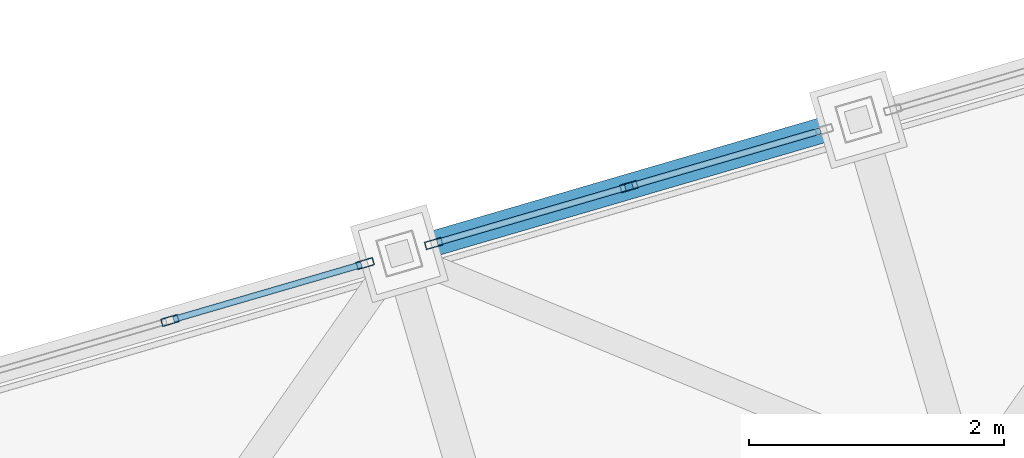
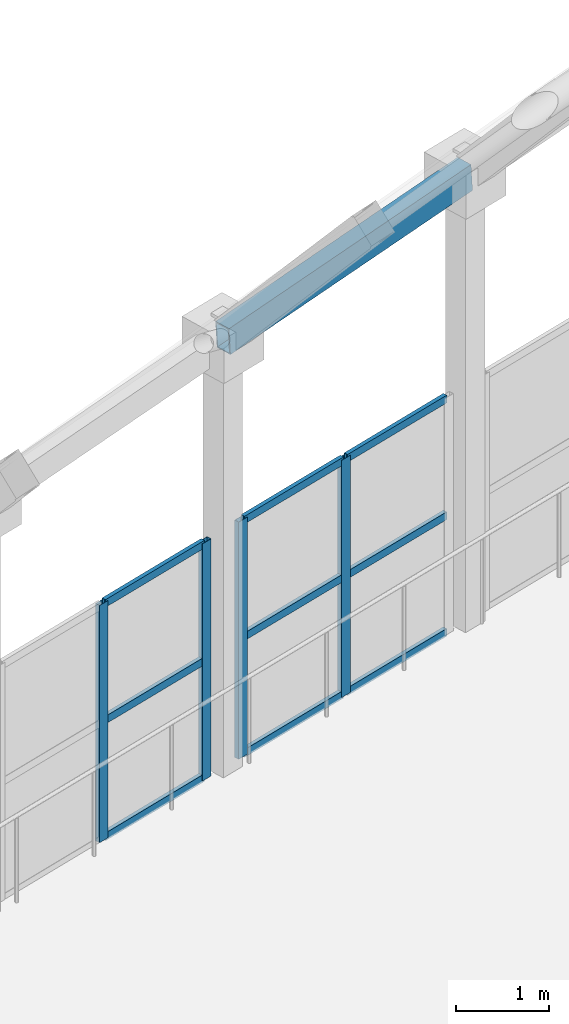
# One storey, part 115 of 248: 13 members, 1 beam, 2 elements without a shape of their own.
"""IFC4 building model written with IfcOpenShell, lengths in metres."""

from ifc_helpers import new_model, si_unit, direction, frame, origin, origin_2d, place, context, subcontext, project, spatial, hollow_rectangle, extrude, material, layer, layer_set, material_profile, profile_set, type_object, element, aggregate, save


model = new_model("IFC4")

# Units and contexts
model_context = context("Model", 3, precision=1e-05, world=origin(), true_north=direction((0.0, 1.0)))
body_context = subcontext(model_context, "Body", "Model", "MODEL_VIEW")
ifc_project = project(units=[si_unit("LENGTHUNIT", "METRE"), si_unit("AREAUNIT", "SQUARE_METRE"), si_unit("VOLUMEUNIT", "CUBIC_METRE"), si_unit("PLANEANGLEUNIT", "RADIAN"), si_unit("MASSUNIT", "GRAM", prefix="KILO")], contexts=[model_context])

# Site, building, storey
site_placement = place(None, origin())
site = spatial("IfcSite", under=ifc_project, at=site_placement, CompositionType="ELEMENT")
building_placement = place(site_placement, origin())
building = spatial("IfcBuilding", under=site, at=building_placement, Name="Canggui Botanical Conservatory", CompositionType="ELEMENT")
storey_placement = place(building_placement, frame((0.0, 0.0, 5.39990234375)))
storey = spatial("IfcBuildingStorey", under=building, at=storey_placement, Name="L02", CompositionType="ELEMENT", Elevation=5.39990234375)

# Beam
ifc_material_1 = material(Name="Steel Q355C", Category="steel")
ifc_material_profile_1 = material_profile(ifc_material_1, hollow_rectangle(XDim=0.199951171875, YDim=0.35009765625, WallThickness=0.011962890625, at=origin_2d()), Name="RHS 200x350x12")
ifc_profile_set_1 = profile_set([ifc_material_profile_1], Name="Steel Q355C")
beam_type = type_object("IfcBeamType", Name="BM-RING01", PredefinedType="BEAM", material=ifc_profile_set_1)
beam_placement = place(storey_placement, frame((40.39990234375, 79.199951171875, 5.60009765625), z_axis=(0.957872417874, 0.27938486839, 0.066517113516), x_axis=(-0.280004999853, 0.959998541695, 0.0)))
element("IfcBeam", 1, at=beam_placement, inside=storey, type_object=beam_type, Name="Conservatory Perimeter Ring Beam V1-09", PredefinedType="BEAM", context=body_context, shape_type="SweptSolid", body=[
    extrude(hollow_rectangle(XDim=0.199951171875, YDim=0.35009765625, WallThickness=0.011962890625, at=origin_2d()), origin(), (0.0, 0.0, 1.0), 3.758544921875),
])

# Curtain wall, members
ifc_material_2 = material(Name="Thermally Broken Aluminium", Category="aluminium")
ifc_layer = layer(ifc_material_2, 0.135009765625, Name="Thermally Broken Aluminium", Category="aluminium")
ifc_layer_set = layer_set([ifc_layer], Name="Thermally Broken Aluminium")
curtain_wall_type = type_object("IfcCurtainWallType", Name="CW-STICK-A", PredefinedType="USERDEFINED", material=ifc_layer_set)
curtain_wall_1_placement = place(storey_placement, origin())
curtain_wall_1 = element("IfcCurtainWall", 2, at=curtain_wall_1_placement, inside=storey, type_object=curtain_wall_type, Name="Facade Curtain Wall CW-CONS-L02-V1-08", ObjectType="STICK GLAZED WALL", PredefinedType="USERDEFINED")
ifc_material_profile_2 = material_profile(ifc_material_2, hollow_rectangle(XDim=0.06005859375, YDim=0.135009765625, WallThickness=0.00341796875, at=origin_2d()), Name="CWM 60x135x3.5")
ifc_profile_set_2 = profile_set([ifc_material_profile_2], Name="Thermally Broken Aluminium")
member_type_1 = type_object("IfcMemberType", Name="CWM-04", PredefinedType="MULLION", material=ifc_profile_set_2)
member_1_placement = place(storey_placement, frame((38.60009765625, 78.675048828125, 0.0), z_axis=(0.0, 0.0, 1.0), x_axis=(-0.279999999995, 0.960000000002, 0.0)))
member_1 = element("IfcMember", 3, at=member_1_placement, type_object=member_type_1, Name="CW-04 mullion 2", PredefinedType="MULLION", context=body_context, shape_type="SweptSolid", body=[
    extrude(hollow_rectangle(XDim=0.06005859375, YDim=0.135009765625, WallThickness=0.00341796875, at=origin_2d()), origin(), (0.0, 0.0, 1.0), 3.10009765625),
])
member_2_placement = place(storey_placement, frame((40.131103515625, 79.12158203125, 0.0), z_axis=(0.0, 0.0, 1.0), x_axis=(-0.279999999995, 0.960000000002, 0.0)))
member_2 = element("IfcMember", 4, at=member_2_placement, type_object=member_type_1, Name="CW-04 mullion 3", PredefinedType="MULLION", context=body_context, shape_type="SweptSolid", body=[
    extrude(hollow_rectangle(XDim=0.06005859375, YDim=0.135009765625, WallThickness=0.00341796875, at=origin_2d()), origin(), (0.0, 0.0, 1.0), 3.10009765625),
])

curtain_wall_2_placement = place(storey_placement, origin())
curtain_wall_2 = element("IfcCurtainWall", 5, at=curtain_wall_2_placement, inside=storey, type_object=curtain_wall_type, Name="Facade Curtain Wall CW-CONS-L02-V1-09", ObjectType="STICK GLAZED WALL", PredefinedType="USERDEFINED")
member_3_placement = place(storey_placement, frame((40.668701171875, 79.2783203125, 0.0), z_axis=(0.0, 0.0, 1.0), x_axis=(-0.279999999995, 0.960000000002, 0.0)))
member_3 = element("IfcMember", 6, at=member_3_placement, type_object=member_type_1, Name="CW-04 mullion 1", PredefinedType="MULLION", context=body_context, shape_type="SweptSolid", body=[
    extrude(hollow_rectangle(XDim=0.06005859375, YDim=0.135009765625, WallThickness=0.00341796875, at=origin_2d()), origin(), (0.0, 0.0, 1.0), 3.10009765625),
])
member_4_placement = place(storey_placement, frame((42.199951171875, 79.72509765625, 0.0), z_axis=(0.0, 0.0, 1.0), x_axis=(-0.279999999995, 0.960000000002, 0.0)))
member_4 = element("IfcMember", 7, at=member_4_placement, type_object=member_type_1, Name="CW-04 mullion 2", PredefinedType="MULLION", context=body_context, shape_type="SweptSolid", body=[
    extrude(hollow_rectangle(XDim=0.06005859375, YDim=0.135009765625, WallThickness=0.00341796875, at=origin_2d()), origin(), (0.0, 0.0, 1.0), 3.10009765625),
])

# Member
ifc_material_profile_3 = material_profile(ifc_material_2, hollow_rectangle(XDim=0.050048828125, YDim=0.10009765625, WallThickness=0.0029296875, at=origin_2d()), Name="CWT 50x100x3")
ifc_profile_set_3 = profile_set([ifc_material_profile_3], Name="Thermally Broken Aluminium")
member_type_2 = type_object("IfcMemberType", Name="CWT-04", PredefinedType="USERDEFINED", material=ifc_profile_set_3)
member_5_placement = place(storey_placement, frame((38.62890625, 78.683349609375, 0.025146484375), z_axis=(0.95996614364, 0.28011605285, 0.0), x_axis=(-0.28011605285, 0.95996614364, 0.0)))
member_5 = element("IfcMember", 8, at=member_5_placement, type_object=member_type_2, Name="CW-04 transom 2.1", ObjectType="TRANSOM", PredefinedType="USERDEFINED", context=body_context, shape_type="SweptSolid", body=[
    extrude(hollow_rectangle(XDim=0.050048828125, YDim=0.10009765625, WallThickness=0.0029296875, at=origin_2d()), origin(), (0.0, 0.0, 1.0), 1.534912109375),
])

member_6_placement = place(storey_placement, frame((38.62890625, 78.683349609375, 1.550048828125), z_axis=(0.95996614364, 0.28011605285, 0.0), x_axis=(-0.28011605285, 0.95996614364, 0.0)))
member_6 = element("IfcMember", 9, at=member_6_placement, type_object=member_type_2, Name="CW-04 transom 2.2", ObjectType="TRANSOM", PredefinedType="USERDEFINED", context=body_context, shape_type="SweptSolid", body=[
    extrude(hollow_rectangle(XDim=0.050048828125, YDim=0.10009765625, WallThickness=0.0029296875, at=origin_2d()), origin(), (0.0, 0.0, 1.0), 1.534912109375),
])

member_7_placement = place(storey_placement, frame((38.62890625, 78.683349609375, 3.0751953125), z_axis=(0.95996614364, 0.28011605285, 0.0), x_axis=(-0.28011605285, 0.95996614364, 0.0)))
member_7 = element("IfcMember", 10, at=member_7_placement, type_object=member_type_2, Name="CW-04 transom 2.3", ObjectType="TRANSOM", PredefinedType="USERDEFINED", context=body_context, shape_type="SweptSolid", body=[
    extrude(hollow_rectangle(XDim=0.050048828125, YDim=0.10009765625, WallThickness=0.0029296875, at=origin_2d()), origin(), (0.0, 0.0, 1.0), 1.534912109375),
])

aggregate(curtain_wall_1, [member_1, member_2, member_5, member_6, member_7])

member_8_placement = place(storey_placement, frame((40.697509765625, 79.286865234375, 0.025146484375), z_axis=(0.960021373424, 0.279926709282, 0.0), x_axis=(-0.279926709282, 0.960021373424, 0.0)))
member_8 = element("IfcMember", 11, at=member_8_placement, type_object=member_type_2, Name="CW-04 transom 1.1", ObjectType="TRANSOM", PredefinedType="USERDEFINED", context=body_context, shape_type="SweptSolid", body=[
    extrude(hollow_rectangle(XDim=0.050048828125, YDim=0.10009765625, WallThickness=0.0029296875, at=origin_2d()), origin(), (0.0, 0.0, 1.0), 1.534912109375),
])

member_9_placement = place(storey_placement, frame((40.697509765625, 79.286865234375, 1.550048828125), z_axis=(0.960021373424, 0.279926709282, 0.0), x_axis=(-0.279926709282, 0.960021373424, 0.0)))
member_9 = element("IfcMember", 12, at=member_9_placement, type_object=member_type_2, Name="CW-04 transom 1.2", ObjectType="TRANSOM", PredefinedType="USERDEFINED", context=body_context, shape_type="SweptSolid", body=[
    extrude(hollow_rectangle(XDim=0.050048828125, YDim=0.10009765625, WallThickness=0.0029296875, at=origin_2d()), origin(), (0.0, 0.0, 1.0), 1.534912109375),
])

member_10_placement = place(storey_placement, frame((40.697509765625, 79.286865234375, 3.0751953125), z_axis=(0.960021373424, 0.279926709282, 0.0), x_axis=(-0.279926709282, 0.960021373424, 0.0)))
member_10 = element("IfcMember", 13, at=member_10_placement, type_object=member_type_2, Name="CW-04 transom 1.3", ObjectType="TRANSOM", PredefinedType="USERDEFINED", context=body_context, shape_type="SweptSolid", body=[
    extrude(hollow_rectangle(XDim=0.050048828125, YDim=0.10009765625, WallThickness=0.0029296875, at=origin_2d()), origin(), (0.0, 0.0, 1.0), 1.534912109375),
])

member_11_placement = place(storey_placement, frame((42.228759765625, 79.7333984375, 0.025146484375), z_axis=(0.960021373424, 0.279926709282, 0.0), x_axis=(-0.279926709282, 0.960021373424, 0.0)))
member_11 = element("IfcMember", 14, at=member_11_placement, type_object=member_type_2, Name="CW-04 transom 2.1", ObjectType="TRANSOM", PredefinedType="USERDEFINED", context=body_context, shape_type="SweptSolid", body=[
    extrude(hollow_rectangle(XDim=0.050048828125, YDim=0.10009765625, WallThickness=0.0029296875, at=origin_2d()), origin(), (0.0, 0.0, 1.0), 1.534912109375),
])

member_12_placement = place(storey_placement, frame((42.228759765625, 79.7333984375, 1.550048828125), z_axis=(0.960021373424, 0.279926709282, 0.0), x_axis=(-0.279926709282, 0.960021373424, 0.0)))
member_12 = element("IfcMember", 15, at=member_12_placement, type_object=member_type_2, Name="CW-04 transom 2.2", ObjectType="TRANSOM", PredefinedType="USERDEFINED", context=body_context, shape_type="SweptSolid", body=[
    extrude(hollow_rectangle(XDim=0.050048828125, YDim=0.10009765625, WallThickness=0.0029296875, at=origin_2d()), origin(), (0.0, 0.0, 1.0), 1.534912109375),
])

member_13_placement = place(storey_placement, frame((42.228759765625, 79.7333984375, 3.0751953125), z_axis=(0.960021373424, 0.279926709282, 0.0), x_axis=(-0.279926709282, 0.960021373424, 0.0)))
member_13 = element("IfcMember", 16, at=member_13_placement, type_object=member_type_2, Name="CW-04 transom 2.3", ObjectType="TRANSOM", PredefinedType="USERDEFINED", context=body_context, shape_type="SweptSolid", body=[
    extrude(hollow_rectangle(XDim=0.050048828125, YDim=0.10009765625, WallThickness=0.0029296875, at=origin_2d()), origin(), (0.0, 0.0, 1.0), 1.534912109375),
])

aggregate(curtain_wall_2, [member_3, member_4, member_8, member_9, member_10, member_11, member_12, member_13])

save(model, "model.ifc")
